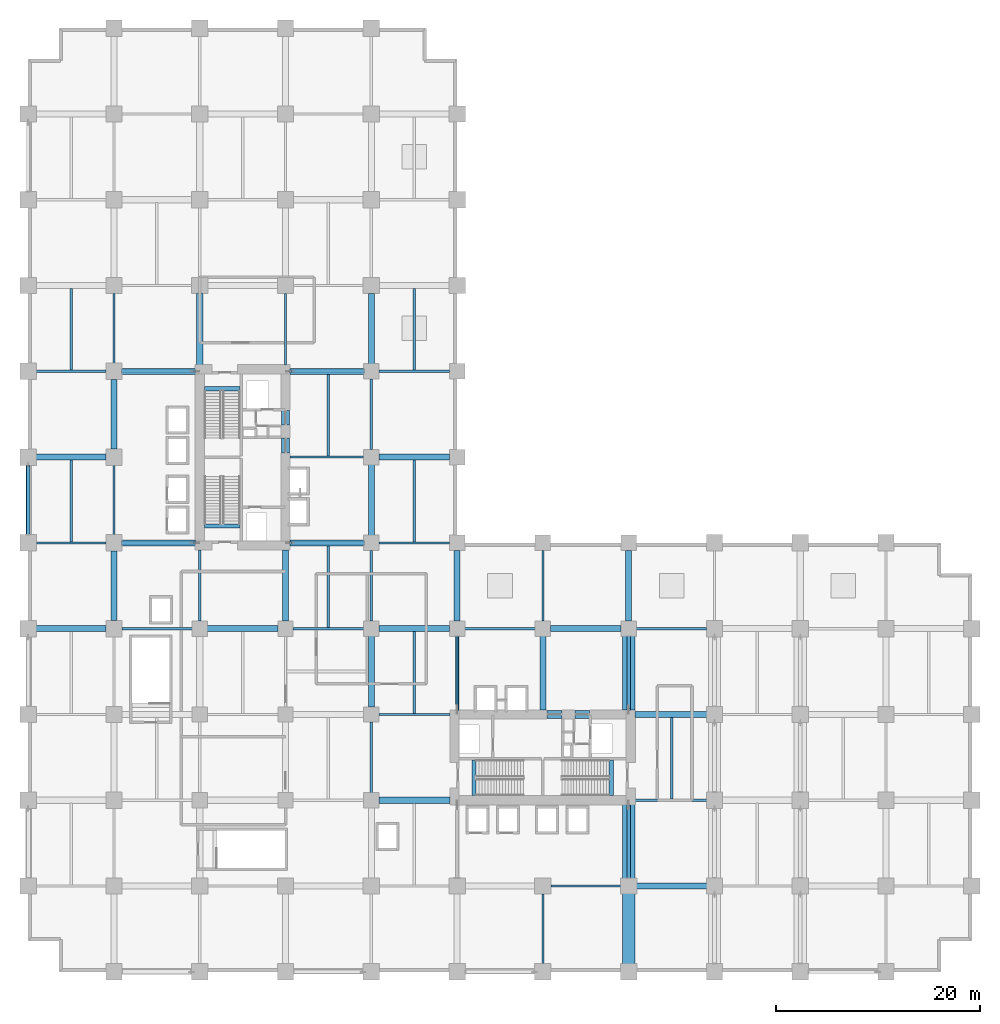
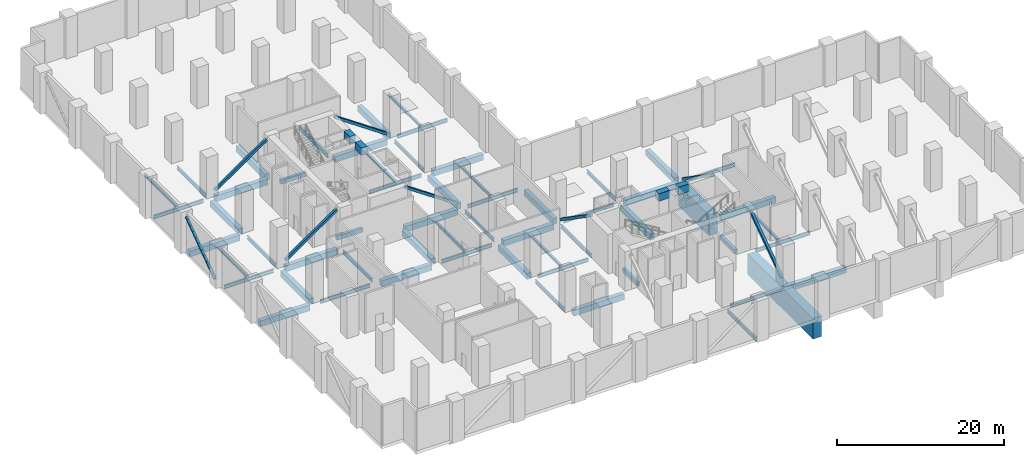
# One storey, part 2 of 20: 63 beams, 8 members.
"""IFC4 building model written with IfcOpenShell, lengths in metres."""

from ifc_helpers import new_model, si_unit, direction, frame, origin, origin_2d, place, context, subcontext, project, spatial, rectangle, hollow_rectangle, hollow_circle, i_section, extrude, material, material_profile, profile_set, type_object, element, save


model = new_model("IFC4")

# Units and contexts
model_context = context("Model", 3, precision=1e-05, world=origin(), true_north=direction((0.0, 1.0)))
body_context = subcontext(model_context, "Body", "Model", "MODEL_VIEW")
ifc_project = project(units=[si_unit("LENGTHUNIT", "METRE"), si_unit("AREAUNIT", "SQUARE_METRE"), si_unit("VOLUMEUNIT", "CUBIC_METRE"), si_unit("PLANEANGLEUNIT", "RADIAN"), si_unit("MASSUNIT", "GRAM", prefix="KILO")], contexts=[model_context])

# Site, building, storey
site_placement = place(None, origin())
site = spatial("IfcSite", under=ifc_project, at=site_placement, CompositionType="ELEMENT")
building_placement = place(site_placement, origin())
building = spatial("IfcBuilding", under=site, at=building_placement, Name="Koriwani Terraces Tower", CompositionType="ELEMENT")
storey_placement = place(building_placement, frame((0.0, 0.0, 26.0)))
storey = spatial("IfcBuildingStorey", under=building, at=storey_placement, Name="L05", CompositionType="ELEMENT", Elevation=26.0)

# Beams
ifc_material_1 = material(Name="Concrete C60/75", Category="concrete")
ifc_material_profile_1 = material_profile(ifc_material_1, rectangle(XDim=0.800048828125, YDim=1.10009765625, at=origin_2d()), Name="Concrete C60/75", Category="LoadBearing")
ifc_profile_set_1 = profile_set([ifc_material_profile_1], Name="Concrete C60/75")
beam_type_1 = type_object("IfcBeamType", Name="BEAM_RC_COUPLING_800X1100", PredefinedType="LINTEL", material=ifc_profile_set_1)
beam_1_placement = place(storey_placement, frame((25.199951171875, 50.800048828125, 5.199951171875), z_axis=(0.0, 1.0, 0.0), x_axis=(-1.0, 0.0, 0.0)))
element("IfcBeam", 1, at=beam_1_placement, inside=storey, type_object=beam_type_1, Name="L05 Core Coupling Lintel Beam WE1", PredefinedType="LINTEL", context=body_context, shape_type="SweptSolid", body=[
    extrude(rectangle(XDim=0.800048828125, YDim=1.10009765625, at=origin_2d()), origin(), (0.0, 0.0, 1.0), 1.47998046875),
])
beam_2_placement = place(storey_placement, frame((25.199951171875, 53.550048828125, 5.199951171875), z_axis=(0.0, 1.0, 0.0), x_axis=(-1.0, 0.0, 0.0)))
element("IfcBeam", 2, at=beam_2_placement, inside=storey, type_object=beam_type_1, Name="L05 Core Coupling Lintel Beam WE2", PredefinedType="LINTEL", context=body_context, shape_type="SweptSolid", body=[
    extrude(rectangle(XDim=0.800048828125, YDim=1.10009765625, at=origin_2d()), origin(), (0.0, 0.0, 1.0), 1.39990234375),
])
beam_3_placement = place(storey_placement, frame((50.800048828125, 25.199951171875, 5.199951171875), z_axis=(1.0, 0.0, 0.0), x_axis=(0.0, 1.0, 0.0)))
element("IfcBeam", 3, at=beam_3_placement, inside=storey, type_object=beam_type_1, Name="L05 Core Coupling Lintel Beam EN1", PredefinedType="LINTEL", context=body_context, shape_type="SweptSolid", body=[
    extrude(rectangle(XDim=0.800048828125, YDim=1.10009765625, at=origin_2d()), origin(), (0.0, 0.0, 1.0), 1.47998046875),
])
beam_4_placement = place(storey_placement, frame((53.550048828125, 25.199951171875, 5.199951171875), z_axis=(1.0, 0.0, 0.0), x_axis=(0.0, 1.0, 0.0)))
element("IfcBeam", 4, at=beam_4_placement, inside=storey, type_object=beam_type_1, Name="L05 Core Coupling Lintel Beam EN2", PredefinedType="LINTEL", context=body_context, shape_type="SweptSolid", body=[
    extrude(rectangle(XDim=0.800048828125, YDim=1.10009765625, at=origin_2d()), origin(), (0.0, 0.0, 1.0), 1.39990234375),
])
ifc_material_2 = material(Name="Concrete C40/50", Category="concrete")
ifc_material_profile_2 = material_profile(ifc_material_2, rectangle(XDim=0.39990234375, YDim=0.60009765625, at=origin_2d()), Name="Concrete C40/50", Category="LoadBearing")
ifc_profile_set_2 = profile_set([ifc_material_profile_2], Name="Concrete C40/50")
beam_type_2 = type_object("IfcBeamType", Name="BEAM_RC_GRID_400X600", PredefinedType="BEAM", material=ifc_profile_set_2)
for number, where, z_axis, x_axis, name in (
    (5, (17.25, 43.655029296875, -0.300048828125), (1.0, 0.0, 0.0), (0.0, 1.0, 0.0), "L05 Stairwell Header Trimmer Beam ST-W1"),
    (6, (17.25, 57.094970703125, -0.300048828125), (1.0, 0.0, 0.0), (0.0, 1.0, 0.0), "L05 Stairwell Header Trimmer Beam ST-W2"),
    (7, (43.655029296875, 17.25, -0.300048828125), (0.0, 1.0, 0.0), (-1.0, 0.0, 0.0), "L05 Stairwell Header Trimmer Beam ST-E1"),
    (8, (57.094970703125, 17.25, -0.300048828125), (0.0, 1.0, 0.0), (-1.0, 0.0, 0.0), "L05 Stairwell Header Trimmer Beam ST-E2"),
):
    element("IfcBeam", number, at=place(storey_placement, frame(where, z_axis=z_axis, x_axis=x_axis)), inside=storey, type_object=beam_type_2, Name=name, PredefinedType="BEAM", context=body_context, shape_type="SweptSolid", body=[
        extrude(rectangle(XDim=0.39990234375, YDim=0.60009765625, at=origin_2d()), origin(), (0.0, 0.0, 1.0), 3.5),
    ])
ifc_material_profile_3 = material_profile(ifc_material_1, rectangle(XDim=0.60009765625, YDim=0.85009765625, at=origin_2d()), Name="Concrete C60/75", Category="LoadBearing")
ifc_profile_set_3 = profile_set([ifc_material_profile_3], Name="Concrete C60/75")
beam_type_3 = type_object("IfcBeamType", Name="BEAM_RC_GRID_600X850", PredefinedType="BEAM", material=ifc_profile_set_3)
beam_5_placement = place(storey_placement, frame((58.93994140625, 8.39990234375, -0.875), z_axis=(1.0, 0.0, 0.0), x_axis=(0.0, 1.0, 0.0)))
element("IfcBeam", 9, at=beam_5_placement, inside=storey, type_object=beam_type_3, Name="L05 Grid Beam B (58.8-67.2m)", PredefinedType="BEAM", context=body_context, shape_type="SweptSolid", body=[
    extrude(rectangle(XDim=0.60009765625, YDim=0.85009765625, at=origin_2d()), origin(), (0.0, 0.0, 1.0), 8.1201171875),
])
beam_6_placement = place(storey_placement, frame((34.330078125, 16.800048828125, -0.875), z_axis=(1.0, 0.0, 0.0), x_axis=(0.0, 1.0, 0.0)))
element("IfcBeam", 10, at=beam_6_placement, inside=storey, type_object=beam_type_3, Name="L05 Grid Beam C (33.6-42.0m)", PredefinedType="BEAM", context=body_context, shape_type="SweptSolid", body=[
    extrude(rectangle(XDim=0.60009765625, YDim=0.85009765625, at=origin_2d()), origin(), (0.0, 0.0, 1.0), 6.989990234375),
])
beam_7_placement = place(storey_placement, frame((59.429931640625, 25.199951171875, -0.875), z_axis=(1.0, 0.0, 0.0), x_axis=(0.0, 1.0, 0.0)))
element("IfcBeam", 11, at=beam_7_placement, inside=storey, type_object=beam_type_3, Name="L05 Grid Beam D (58.8-67.2m)", PredefinedType="BEAM", context=body_context, shape_type="SweptSolid", body=[
    extrude(rectangle(XDim=0.60009765625, YDim=0.85009765625, at=origin_2d()), origin(), (0.0, 0.0, 1.0), 7.630126953125),
])
beam_8_placement = place(storey_placement, frame((0.780029296875, 33.60009765625, -0.875), z_axis=(1.0, 0.0, 0.0), x_axis=(0.0, 1.0, 0.0)))
element("IfcBeam", 12, at=beam_8_placement, inside=storey, type_object=beam_type_3, Name="L05 Grid Beam E (0.0-8.4m)", PredefinedType="BEAM", context=body_context, shape_type="SweptSolid", body=[
    extrude(rectangle(XDim=0.60009765625, YDim=0.85009765625, at=origin_2d()), origin(), (0.0, 0.0, 1.0), 6.840087890625),
])
for number, where, z_axis, x_axis, name in (
    (13, (17.530029296875, 33.60009765625, -0.875), (1.0, 0.0, 0.0), (0.0, 1.0, 0.0), "L05 Grid Beam E (16.8-25.2m)"),
    (14, (34.330078125, 33.60009765625, -0.875), (1.0, 0.0, 0.0), (0.0, 1.0, 0.0), "L05 Grid Beam E (33.6-42.0m)"),
):
    element("IfcBeam", number, at=place(storey_placement, frame(where, z_axis=z_axis, x_axis=x_axis)), inside=storey, type_object=beam_type_3, Name=name, PredefinedType="BEAM", context=body_context, shape_type="SweptSolid", body=[
        extrude(rectangle(XDim=0.60009765625, YDim=0.85009765625, at=origin_2d()), origin(), (0.0, 0.0, 1.0), 6.93994140625),
    ])
beam_9_placement = place(storey_placement, frame((51.1298828125, 33.60009765625, -0.875), z_axis=(1.0, 0.0, 0.0), x_axis=(0.0, 1.0, 0.0)))
element("IfcBeam", 15, at=beam_9_placement, inside=storey, type_object=beam_type_3, Name="L05 Grid Beam E (50.4-58.8m)", PredefinedType="BEAM", context=body_context, shape_type="SweptSolid", body=[
    extrude(rectangle(XDim=0.60009765625, YDim=0.85009765625, at=origin_2d()), origin(), (0.0, 0.0, 1.0), 6.940185546875),
])
beam_10_placement = place(storey_placement, frame((9.179931640625, 42.0, -0.875), z_axis=(1.0, 0.0, 0.0), x_axis=(0.0, 1.0, 0.0)))
element("IfcBeam", 16, at=beam_10_placement, inside=storey, type_object=beam_type_3, Name="L05 Grid Beam F (8.4-16.8m)", PredefinedType="BEAM", context=body_context, shape_type="SweptSolid", body=[
    extrude(rectangle(XDim=0.60009765625, YDim=0.85009765625, at=origin_2d()), origin(), (0.0, 0.0, 1.0), 7.190185546875),
])
beam_11_placement = place(storey_placement, frame((25.6298828125, 42.0, -0.875), z_axis=(1.0, 0.0, 0.0), x_axis=(0.0, 1.0, 0.0)))
element("IfcBeam", 17, at=beam_11_placement, inside=storey, type_object=beam_type_3, Name="L05 Grid Beam F (25.2-33.6m)", PredefinedType="BEAM", context=body_context, shape_type="SweptSolid", body=[
    extrude(rectangle(XDim=0.60009765625, YDim=0.85009765625, at=origin_2d()), origin(), (0.0, 0.0, 1.0), 7.240234375),
])
beam_12_placement = place(storey_placement, frame((0.780029296875, 50.39990234375, -0.875), z_axis=(1.0, 0.0, 0.0), x_axis=(0.0, 1.0, 0.0)))
element("IfcBeam", 18, at=beam_12_placement, inside=storey, type_object=beam_type_3, Name="L05 Grid Beam G (0.0-8.4m)", PredefinedType="BEAM", context=body_context, shape_type="SweptSolid", body=[
    extrude(rectangle(XDim=0.60009765625, YDim=0.85009765625, at=origin_2d()), origin(), (0.0, 0.0, 1.0), 6.840087890625),
])
beam_13_placement = place(storey_placement, frame((34.330078125, 50.39990234375, -0.875), z_axis=(1.0, 0.0, 0.0), x_axis=(0.0, 1.0, 0.0)))
element("IfcBeam", 19, at=beam_13_placement, inside=storey, type_object=beam_type_3, Name="L05 Grid Beam G (33.6-42.0m)", PredefinedType="BEAM", context=body_context, shape_type="SweptSolid", body=[
    extrude(rectangle(XDim=0.60009765625, YDim=0.85009765625, at=origin_2d()), origin(), (0.0, 0.0, 1.0), 6.93994140625),
])
beam_14_placement = place(storey_placement, frame((9.179931640625, 58.800048828125, -0.875), z_axis=(1.0, 0.0, 0.0), x_axis=(0.0, 1.0, 0.0)))
element("IfcBeam", 20, at=beam_14_placement, inside=storey, type_object=beam_type_3, Name="L05 Grid Beam H (8.4-16.8m)", PredefinedType="BEAM", context=body_context, shape_type="SweptSolid", body=[
    extrude(rectangle(XDim=0.60009765625, YDim=0.85009765625, at=origin_2d()), origin(), (0.0, 0.0, 1.0), 7.190185546875),
])
beam_15_placement = place(storey_placement, frame((25.6298828125, 58.800048828125, -0.875), z_axis=(1.0, 0.0, 0.0), x_axis=(0.0, 1.0, 0.0)))
element("IfcBeam", 21, at=beam_15_placement, inside=storey, type_object=beam_type_3, Name="L05 Grid Beam H (25.2-33.6m)", PredefinedType="BEAM", context=body_context, shape_type="SweptSolid", body=[
    extrude(rectangle(XDim=0.60009765625, YDim=0.85009765625, at=origin_2d()), origin(), (0.0, 0.0, 1.0), 7.240234375),
])
for number, where, z_axis, x_axis, name in (
    (22, (8.39990234375, 34.3798828125, -0.875), (0.0, 1.0, 0.0), (-1.0, 0.0, 0.0), "L05 Grid Beam 2 (33.6-42.0m)"),
    (23, (8.39990234375, 51.179931640625, -0.875), (0.0, 1.0, 0.0), (-1.0, 0.0, 0.0), "L05 Grid Beam 2 (50.4-58.8m)"),
):
    element("IfcBeam", number, at=place(storey_placement, frame(where, z_axis=z_axis, x_axis=x_axis)), inside=storey, type_object=beam_type_3, Name=name, PredefinedType="BEAM", context=body_context, shape_type="SweptSolid", body=[
        extrude(rectangle(XDim=0.60009765625, YDim=0.85009765625, at=origin_2d()), origin(), (0.0, 0.0, 1.0), 6.840087890625),
    ])
for number, where, z_axis, x_axis, name in (
    (24, (16.800048828125, 59.429931640625, -0.875), (0.0, 1.0, 0.0), (-1.0, 0.0, 0.0), "L05 Grid Beam 3 (58.8-67.2m)"),
    (25, (25.199951171875, 34.330078125, -0.875), (0.0, 1.0, 0.0), (-1.0, 0.0, 0.0), "L05 Grid Beam 4 (33.6-42.0m)"),
):
    element("IfcBeam", number, at=place(storey_placement, frame(where, z_axis=z_axis, x_axis=x_axis)), inside=storey, type_object=beam_type_3, Name=name, PredefinedType="BEAM", context=body_context, shape_type="SweptSolid", body=[
        extrude(rectangle(XDim=0.60009765625, YDim=0.85009765625, at=origin_2d()), origin(), (0.0, 0.0, 1.0), 6.989990234375),
    ])
beam_16_placement = place(storey_placement, frame((33.60009765625, 25.929931640625, -0.875), z_axis=(0.0, 1.0, 0.0), x_axis=(-1.0, 0.0, 0.0)))
element("IfcBeam", 26, at=beam_16_placement, inside=storey, type_object=beam_type_3, Name="L05 Grid Beam 5 (25.2-33.6m)", PredefinedType="BEAM", context=body_context, shape_type="SweptSolid", body=[
    extrude(rectangle(XDim=0.60009765625, YDim=0.85009765625, at=origin_2d()), origin(), (0.0, 0.0, 1.0), 6.940185546875),
])
beam_17_placement = place(storey_placement, frame((33.60009765625, 42.72998046875, -0.875), z_axis=(0.0, 1.0, 0.0), x_axis=(-1.0, 0.0, 0.0)))
element("IfcBeam", 27, at=beam_17_placement, inside=storey, type_object=beam_type_3, Name="L05 Grid Beam 5 (42.0-50.4m)", PredefinedType="BEAM", context=body_context, shape_type="SweptSolid", body=[
    extrude(rectangle(XDim=0.60009765625, YDim=0.85009765625, at=origin_2d()), origin(), (0.0, 0.0, 1.0), 6.93994140625),
])
beam_18_placement = place(storey_placement, frame((33.60009765625, 59.530029296875, -0.875), z_axis=(0.0, 1.0, 0.0), x_axis=(-1.0, 0.0, 0.0)))
element("IfcBeam", 28, at=beam_18_placement, inside=storey, type_object=beam_type_3, Name="L05 Grid Beam 5 (58.8-67.2m)", PredefinedType="BEAM", context=body_context, shape_type="SweptSolid", body=[
    extrude(rectangle(XDim=0.60009765625, YDim=0.85009765625, at=origin_2d()), origin(), (0.0, 0.0, 1.0), 6.889892578125),
])
beam_19_placement = place(storey_placement, frame((42.0, 34.330078125, -0.875), z_axis=(0.0, 1.0, 0.0), x_axis=(-1.0, 0.0, 0.0)))
element("IfcBeam", 29, at=beam_19_placement, inside=storey, type_object=beam_type_3, Name="L05 Grid Beam 6 (33.6-42.0m)", PredefinedType="BEAM", context=body_context, shape_type="SweptSolid", body=[
    extrude(rectangle(XDim=0.60009765625, YDim=0.85009765625, at=origin_2d()), origin(), (0.0, 0.0, 1.0), 6.93994140625),
])
beam_20_placement = place(storey_placement, frame((50.39990234375, 25.6298828125, -0.875), z_axis=(0.0, 1.0, 0.0), x_axis=(-1.0, 0.0, 0.0)))
element("IfcBeam", 30, at=beam_20_placement, inside=storey, type_object=beam_type_3, Name="L05 Grid Beam 7 (25.2-33.6m)", PredefinedType="BEAM", context=body_context, shape_type="SweptSolid", body=[
    extrude(rectangle(XDim=0.60009765625, YDim=0.85009765625, at=origin_2d()), origin(), (0.0, 0.0, 1.0), 7.240234375),
])
beam_21_placement = place(storey_placement, frame((58.800048828125, 34.330078125, -0.875), z_axis=(0.0, 1.0, 0.0), x_axis=(-1.0, 0.0, 0.0)))
element("IfcBeam", 31, at=beam_21_placement, inside=storey, type_object=beam_type_3, Name="L05 Grid Beam 8 (33.6-42.0m)", PredefinedType="BEAM", context=body_context, shape_type="SweptSolid", body=[
    extrude(rectangle(XDim=0.60009765625, YDim=0.85009765625, at=origin_2d()), origin(), (0.0, 0.0, 1.0), 6.93994140625),
])
ifc_material_profile_4 = material_profile(ifc_material_1, rectangle(XDim=1.199951171875, YDim=3.0, at=origin_2d()), Name="Concrete C60/75", Category="LoadBearing")
ifc_profile_set_4 = profile_set([ifc_material_profile_4], Name="Concrete C60/75")
beam_type_4 = type_object("IfcBeamType", Name="BEAM_RC_TRANSFER_1200X3000", PredefinedType="USERDEFINED", material=ifc_profile_set_4)
beam_22_placement = place(storey_placement, frame((58.800048828125, 0.77001953125, -1.949951171875), z_axis=(0.0, 1.0, 0.0), x_axis=(-1.0, 0.0, 0.0)))
element("IfcBeam", 32, at=beam_22_placement, inside=storey, type_object=beam_type_4, Name="L05 Ballroom Transfer Girder X=58.8m S", ObjectType="GIRDER", PredefinedType="USERDEFINED", context=body_context, shape_type="SweptSolid", body=[
    extrude(rectangle(XDim=1.199951171875, YDim=3.0, at=origin_2d()), origin(), (0.0, 0.0, 1.0), 15.60009765625),
])
beam_23_placement = place(storey_placement, frame((58.800048828125, 25.6298828125, -1.949951171875), z_axis=(0.0, 1.0, 0.0), x_axis=(-1.0, 0.0, 0.0)))
element("IfcBeam", 33, at=beam_23_placement, inside=storey, type_object=beam_type_4, Name="L05 Ballroom Transfer Girder X=58.8m N", ObjectType="GIRDER", PredefinedType="USERDEFINED", context=body_context, shape_type="SweptSolid", body=[
    extrude(rectangle(XDim=1.199951171875, YDim=3.0, at=origin_2d()), origin(), (0.0, 0.0, 1.0), 7.25),
])

# Members
ifc_material_3 = material(Name="Steel ASTM A572 Grade 50", Category="steel")
ifc_material_profile_5 = material_profile(ifc_material_3, hollow_circle(Radius=0.202880859375, WallThickness=0.01611328125, at=origin_2d()), Name="Steel ASTM A572 Grade 50", Category="LoadBearing")
ifc_profile_set_5 = profile_set([ifc_material_profile_5], Name="Steel ASTM A572 Grade 50")
member_type_1 = type_object("IfcMemberType", Name="BELT_TRUSS_DIAG_CHS406X16", PredefinedType="BRACE", material=ifc_profile_set_5)
member_1_placement = place(storey_placement, frame((0.0, 42.780029296875, 0.25), z_axis=(0.0, 0.810123018581, 0.586259920824), x_axis=(-1.0, 0.0, 0.0)))
element("IfcMember", 34, at=member_1_placement, inside=storey, type_object=member_type_1, Name="Belt truss diagonal L05-BW3", PredefinedType="BRACE", context=body_context, shape_type="SweptSolid", body=[
    extrude(hollow_circle(Radius=0.202880859375, WallThickness=0.01611328125, at=origin_2d()), origin(), (0.0, 0.0, 1.0), 8.443359375),
])
ifc_material_profile_6 = material_profile(ifc_material_3, hollow_rectangle(XDim=0.35009765625, YDim=0.35009765625, WallThickness=0.01611328125, at=origin_2d()), Name="Steel ASTM A572 Grade 50", Category="LoadBearing")
ifc_profile_set_6 = profile_set([ifc_material_profile_6], Name="Steel ASTM A572 Grade 50")
member_type_2 = type_object("IfcMemberType", Name="OUTRIGGER_BRACE_HSS350X350X16", PredefinedType="BRACE", material=ifc_profile_set_6)
for number, where, z_axis, x_axis, name in (
    (35, (9.179931640625, 42.0, 0.25), (0.822200276844, 0.0, 0.569198300031), (0.0, 1.0, 0.0), "Outrigger truss diagonal L05-OW-W1"),
    (36, (9.179931640625, 58.800048828125, 0.25), (0.822200276844, 0.0, 0.569198300031), (0.0, 1.0, 0.0), "Outrigger truss diagonal L05-OW-W2"),
):
    element("IfcMember", number, at=place(storey_placement, frame(where, z_axis=z_axis, x_axis=x_axis)), inside=storey, type_object=member_type_2, Name=name, PredefinedType="BRACE", context=body_context, shape_type="SweptSolid", body=[
        extrude(hollow_rectangle(XDim=0.35009765625, YDim=0.35009765625, WallThickness=0.01611328125, at=origin_2d()), origin(), (0.0, 0.0, 1.0), 8.6962890625),
    ])
for number, where, z_axis, x_axis, name in (
    (37, (32.8701171875, 42.0, 0.25), (-0.824051707319, 0.0, 0.566514592632), (0.0, -1.0, 0.0), "Outrigger truss diagonal L05-OW-E1"),
    (38, (32.8701171875, 58.800048828125, 0.25), (-0.824051707319, 0.0, 0.566514592632), (0.0, -1.0, 0.0), "Outrigger truss diagonal L05-OW-E2"),
):
    element("IfcMember", number, at=place(storey_placement, frame(where, z_axis=z_axis, x_axis=x_axis)), inside=storey, type_object=member_type_2, Name=name, PredefinedType="BRACE", context=body_context, shape_type="SweptSolid", body=[
        extrude(hollow_rectangle(XDim=0.35009765625, YDim=0.35009765625, WallThickness=0.01611328125, at=origin_2d()), origin(), (0.0, 0.0, 1.0), 8.737548828125),
    ])
member_2_placement = place(storey_placement, frame((58.800048828125, 9.179931640625, 0.25), z_axis=(0.0, 0.822200276844, 0.569198300031), x_axis=(-1.0, 0.0, 0.0)))
element("IfcMember", 39, at=member_2_placement, inside=storey, type_object=member_type_2, Name="Outrigger truss diagonal L05-OE-S2", PredefinedType="BRACE", context=body_context, shape_type="SweptSolid", body=[
    extrude(hollow_rectangle(XDim=0.35009765625, YDim=0.35009765625, WallThickness=0.01611328125, at=origin_2d()), origin(), (0.0, 0.0, 1.0), 8.6962890625),
])
for number, where, z_axis, x_axis, name in (
    (40, (42.0, 32.8701171875, 0.25), (0.0, -0.824051707319, 0.566514592632), (1.0, 0.0, 0.0), "Outrigger truss diagonal L05-OE-N1"),
    (41, (58.800048828125, 32.8701171875, 0.25), (0.0, -0.824051707319, 0.566514592632), (1.0, 0.0, 0.0), "Outrigger truss diagonal L05-OE-N2"),
):
    element("IfcMember", number, at=place(storey_placement, frame(where, z_axis=z_axis, x_axis=x_axis)), inside=storey, type_object=member_type_2, Name=name, PredefinedType="BRACE", context=body_context, shape_type="SweptSolid", body=[
        extrude(hollow_rectangle(XDim=0.35009765625, YDim=0.35009765625, WallThickness=0.01611328125, at=origin_2d()), origin(), (0.0, 0.0, 1.0), 8.737548828125),
    ])

# Beams
ifc_material_profile_7 = material_profile(ifc_material_3, i_section(OverallWidth=0.257080078125, OverallDepth=0.363037109375, WebThickness=0.012939453125, FlangeThickness=0.021728515625, at=origin_2d()), Name="Steel ASTM A572 Grade 50", Category="LoadBearing")
ifc_profile_set_7 = profile_set([ifc_material_profile_7], Name="Steel ASTM A572 Grade 50")
beam_type_5 = type_object("IfcBeamType", Name="STEEL_BEAM_W360X122", PredefinedType="JOIST", material=ifc_profile_set_7)
beam_24_placement = place(storey_placement, frame((4.199951171875, 42.095458984375, -0.631591796875), z_axis=(0.0, 1.0, 0.0), x_axis=(-1.0, 0.0, 0.0)))
element("IfcBeam", 42, at=beam_24_placement, inside=storey, type_object=beam_type_5, Name="L05 Secondary Steel Floor Joist X=4.2m", PredefinedType="JOIST", context=body_context, shape_type="SweptSolid", body=[
    extrude(i_section(OverallWidth=0.257080078125, OverallDepth=0.363037109375, WebThickness=0.012939453125, FlangeThickness=0.021728515625, at=origin_2d()), origin(), (0.0, 0.0, 1.0), 8.0146484375),
])
for number, where, z_axis, x_axis, name in (
    (43, (4.199951171875, 58.8955078125, -0.631591796875), (0.0, 1.0, 0.0), (-1.0, 0.0, 0.0), "L05 Secondary Steel Floor Joist X=4.2m"),
    (44, (29.39990234375, 33.695556640625, -0.631591796875), (0.0, 1.0, 0.0), (-1.0, 0.0, 0.0), "L05 Secondary Steel Floor Joist X=29.4m"),
    (45, (29.39990234375, 50.49560546875, -0.631591796875), (0.0, 1.0, 0.0), (-1.0, 0.0, 0.0), "L05 Secondary Steel Floor Joist X=29.4m"),
):
    element("IfcBeam", number, at=place(storey_placement, frame(where, z_axis=z_axis, x_axis=x_axis)), inside=storey, type_object=beam_type_5, Name=name, PredefinedType="JOIST", context=body_context, shape_type="SweptSolid", body=[
        extrude(i_section(OverallWidth=0.257080078125, OverallDepth=0.363037109375, WebThickness=0.012939453125, FlangeThickness=0.021728515625, at=origin_2d()), origin(), (0.0, 0.0, 1.0), 8.014404296875),
    ])
for number, where, z_axis, x_axis, name in (
    (46, (37.800048828125, 25.29541015625, -0.631591796875), (0.0, 1.0, 0.0), (-1.0, 0.0, 0.0), "L05 Secondary Steel Floor Joist X=37.8m"),
    (47, (37.800048828125, 42.095458984375, -0.631591796875), (0.0, 1.0, 0.0), (-1.0, 0.0, 0.0), "L05 Secondary Steel Floor Joist X=37.8m"),
):
    element("IfcBeam", number, at=place(storey_placement, frame(where, z_axis=z_axis, x_axis=x_axis)), inside=storey, type_object=beam_type_5, Name=name, PredefinedType="JOIST", context=body_context, shape_type="SweptSolid", body=[
        extrude(i_section(OverallWidth=0.257080078125, OverallDepth=0.363037109375, WebThickness=0.012939453125, FlangeThickness=0.021728515625, at=origin_2d()), origin(), (0.0, 0.0, 1.0), 8.0146484375),
    ])
for number, where, z_axis, x_axis, name in (
    (48, (37.800048828125, 58.8955078125, -0.631591796875), (0.0, 1.0, 0.0), (-1.0, 0.0, 0.0), "L05 Secondary Steel Floor Joist X=37.8m"),
    (49, (63.0, 16.8955078125, -0.631591796875), (0.0, 1.0, 0.0), (-1.0, 0.0, 0.0), "L05 Secondary Steel Floor Joist X=63.0m"),
):
    element("IfcBeam", number, at=place(storey_placement, frame(where, z_axis=z_axis, x_axis=x_axis)), inside=storey, type_object=beam_type_5, Name=name, PredefinedType="JOIST", context=body_context, shape_type="SweptSolid", body=[
        extrude(i_section(OverallWidth=0.257080078125, OverallDepth=0.363037109375, WebThickness=0.012939453125, FlangeThickness=0.021728515625, at=origin_2d()), origin(), (0.0, 0.0, 1.0), 8.014404296875),
    ])
ifc_material_profile_8 = material_profile(ifc_material_3, i_section(OverallWidth=0.2109375, OverallDepth=0.5390625, WebThickness=0.01171875, FlangeThickness=0.018798828125, at=origin_2d()), Name="Steel ASTM A572 Grade 50", Category="LoadBearing")
ifc_profile_set_8 = profile_set([ifc_material_profile_8], Name="Steel ASTM A572 Grade 50")
beam_type_6 = type_object("IfcBeamType", Name="STEEL_BEAM_W530X109", PredefinedType="BEAM", material=ifc_profile_set_8)
beam_25_placement = place(storey_placement, frame((51.179931640625, 8.39990234375, -0.719482421875), z_axis=(1.0, 0.0, 0.0), x_axis=(0.0, 1.0, 0.0)))
element("IfcBeam", 50, at=beam_25_placement, inside=storey, type_object=beam_type_6, Name="L05 Grid Beam B (50.4-58.8m)", PredefinedType="BEAM", context=body_context, shape_type="SweptSolid", body=[
    extrude(i_section(OverallWidth=0.2109375, OverallDepth=0.5390625, WebThickness=0.01171875, FlangeThickness=0.018798828125, at=origin_2d()), origin(), (0.0, 0.0, 1.0), 7.47998046875),
])
beam_26_placement = place(storey_placement, frame((59.429931640625, 16.800048828125, -0.719482421875), z_axis=(1.0, 0.0, 0.0), x_axis=(0.0, 1.0, 0.0)))
element("IfcBeam", 51, at=beam_26_placement, inside=storey, type_object=beam_type_6, Name="L05 Grid Beam C (58.8-67.2m)", PredefinedType="BEAM", context=body_context, shape_type="SweptSolid", body=[
    extrude(i_section(OverallWidth=0.2109375, OverallDepth=0.5390625, WebThickness=0.01171875, FlangeThickness=0.018798828125, at=origin_2d()), origin(), (0.0, 0.0, 1.0), 7.630126953125),
])
beam_27_placement = place(storey_placement, frame((34.330078125, 25.199951171875, -0.719482421875), z_axis=(1.0, 0.0, 0.0), x_axis=(0.0, 1.0, 0.0)))
element("IfcBeam", 52, at=beam_27_placement, inside=storey, type_object=beam_type_6, Name="L05 Grid Beam D (33.6-42.0m)", PredefinedType="BEAM", context=body_context, shape_type="SweptSolid", body=[
    extrude(i_section(OverallWidth=0.2109375, OverallDepth=0.5390625, WebThickness=0.01171875, FlangeThickness=0.018798828125, at=origin_2d()), origin(), (0.0, 0.0, 1.0), 6.989990234375),
])
beam_28_placement = place(storey_placement, frame((9.179931640625, 33.60009765625, -0.719482421875), z_axis=(1.0, 0.0, 0.0), x_axis=(0.0, 1.0, 0.0)))
element("IfcBeam", 53, at=beam_28_placement, inside=storey, type_object=beam_type_6, Name="L05 Grid Beam E (8.4-16.8m)", PredefinedType="BEAM", context=body_context, shape_type="SweptSolid", body=[
    extrude(i_section(OverallWidth=0.2109375, OverallDepth=0.5390625, WebThickness=0.01171875, FlangeThickness=0.018798828125, at=origin_2d()), origin(), (0.0, 0.0, 1.0), 6.89013671875),
])
beam_29_placement = place(storey_placement, frame((25.929931640625, 33.60009765625, -0.719482421875), z_axis=(1.0, 0.0, 0.0), x_axis=(0.0, 1.0, 0.0)))
element("IfcBeam", 54, at=beam_29_placement, inside=storey, type_object=beam_type_6, Name="L05 Grid Beam E (25.2-33.6m)", PredefinedType="BEAM", context=body_context, shape_type="SweptSolid", body=[
    extrude(i_section(OverallWidth=0.2109375, OverallDepth=0.5390625, WebThickness=0.01171875, FlangeThickness=0.018798828125, at=origin_2d()), origin(), (0.0, 0.0, 1.0), 6.940185546875),
])
beam_30_placement = place(storey_placement, frame((42.72998046875, 33.60009765625, -0.719482421875), z_axis=(1.0, 0.0, 0.0), x_axis=(0.0, 1.0, 0.0)))
element("IfcBeam", 55, at=beam_30_placement, inside=storey, type_object=beam_type_6, Name="L05 Grid Beam E (42.0-50.4m)", PredefinedType="BEAM", context=body_context, shape_type="SweptSolid", body=[
    extrude(i_section(OverallWidth=0.2109375, OverallDepth=0.5390625, WebThickness=0.01171875, FlangeThickness=0.018798828125, at=origin_2d()), origin(), (0.0, 0.0, 1.0), 6.93994140625),
])
beam_31_placement = place(storey_placement, frame((59.530029296875, 33.60009765625, -0.719482421875), z_axis=(1.0, 0.0, 0.0), x_axis=(0.0, 1.0, 0.0)))
element("IfcBeam", 56, at=beam_31_placement, inside=storey, type_object=beam_type_6, Name="L05 Grid Beam E (58.8-67.2m)", PredefinedType="BEAM", context=body_context, shape_type="SweptSolid", body=[
    extrude(i_section(OverallWidth=0.2109375, OverallDepth=0.5390625, WebThickness=0.01171875, FlangeThickness=0.018798828125, at=origin_2d()), origin(), (0.0, 0.0, 1.0), 6.889892578125),
])
beam_32_placement = place(storey_placement, frame((0.780029296875, 42.0, -0.719482421875), z_axis=(1.0, 0.0, 0.0), x_axis=(0.0, 1.0, 0.0)))
element("IfcBeam", 57, at=beam_32_placement, inside=storey, type_object=beam_type_6, Name="L05 Grid Beam F (0.0-8.4m)", PredefinedType="BEAM", context=body_context, shape_type="SweptSolid", body=[
    extrude(i_section(OverallWidth=0.2109375, OverallDepth=0.5390625, WebThickness=0.01171875, FlangeThickness=0.018798828125, at=origin_2d()), origin(), (0.0, 0.0, 1.0), 6.840087890625),
])
beam_33_placement = place(storey_placement, frame((34.330078125, 42.0, -0.719482421875), z_axis=(1.0, 0.0, 0.0), x_axis=(0.0, 1.0, 0.0)))
element("IfcBeam", 58, at=beam_33_placement, inside=storey, type_object=beam_type_6, Name="L05 Grid Beam F (33.6-42.0m)", PredefinedType="BEAM", context=body_context, shape_type="SweptSolid", body=[
    extrude(i_section(OverallWidth=0.2109375, OverallDepth=0.5390625, WebThickness=0.01171875, FlangeThickness=0.018798828125, at=origin_2d()), origin(), (0.0, 0.0, 1.0), 6.93994140625),
])
beam_34_placement = place(storey_placement, frame((25.6298828125, 50.39990234375, -0.719482421875), z_axis=(1.0, 0.0, 0.0), x_axis=(0.0, 1.0, 0.0)))
element("IfcBeam", 59, at=beam_34_placement, inside=storey, type_object=beam_type_6, Name="L05 Grid Beam G (25.2-33.6m)", PredefinedType="BEAM", context=body_context, shape_type="SweptSolid", body=[
    extrude(i_section(OverallWidth=0.2109375, OverallDepth=0.5390625, WebThickness=0.01171875, FlangeThickness=0.018798828125, at=origin_2d()), origin(), (0.0, 0.0, 1.0), 7.240234375),
])
beam_35_placement = place(storey_placement, frame((0.780029296875, 58.800048828125, -0.719482421875), z_axis=(1.0, 0.0, 0.0), x_axis=(0.0, 1.0, 0.0)))
element("IfcBeam", 60, at=beam_35_placement, inside=storey, type_object=beam_type_6, Name="L05 Grid Beam H (0.0-8.4m)", PredefinedType="BEAM", context=body_context, shape_type="SweptSolid", body=[
    extrude(i_section(OverallWidth=0.2109375, OverallDepth=0.5390625, WebThickness=0.01171875, FlangeThickness=0.018798828125, at=origin_2d()), origin(), (0.0, 0.0, 1.0), 6.840087890625),
])
beam_36_placement = place(storey_placement, frame((34.330078125, 58.800048828125, -0.719482421875), z_axis=(1.0, 0.0, 0.0), x_axis=(0.0, 1.0, 0.0)))
element("IfcBeam", 61, at=beam_36_placement, inside=storey, type_object=beam_type_6, Name="L05 Grid Beam H (33.6-42.0m)", PredefinedType="BEAM", context=body_context, shape_type="SweptSolid", body=[
    extrude(i_section(OverallWidth=0.2109375, OverallDepth=0.5390625, WebThickness=0.01171875, FlangeThickness=0.018798828125, at=origin_2d()), origin(), (0.0, 0.0, 1.0), 6.93994140625),
])
beam_37_placement = place(storey_placement, frame((8.39990234375, 42.780029296875, -0.719482421875), z_axis=(0.0, 1.0, 0.0), x_axis=(-1.0, 0.0, 0.0)))
element("IfcBeam", 62, at=beam_37_placement, inside=storey, type_object=beam_type_6, Name="L05 Grid Beam 2 (42.0-50.4m)", PredefinedType="BEAM", context=body_context, shape_type="SweptSolid", body=[
    extrude(i_section(OverallWidth=0.2109375, OverallDepth=0.5390625, WebThickness=0.01171875, FlangeThickness=0.018798828125, at=origin_2d()), origin(), (0.0, 0.0, 1.0), 6.840087890625),
])
beam_38_placement = place(storey_placement, frame((8.39990234375, 59.580078125, -0.719482421875), z_axis=(0.0, 1.0, 0.0), x_axis=(-1.0, 0.0, 0.0)))
element("IfcBeam", 63, at=beam_38_placement, inside=storey, type_object=beam_type_6, Name="L05 Grid Beam 2 (58.8-67.2m)", PredefinedType="BEAM", context=body_context, shape_type="SweptSolid", body=[
    extrude(i_section(OverallWidth=0.2109375, OverallDepth=0.5390625, WebThickness=0.01171875, FlangeThickness=0.018798828125, at=origin_2d()), origin(), (0.0, 0.0, 1.0), 6.83984375),
])
for number, where, z_axis, x_axis, name in (
    (64, (16.800048828125, 34.330078125, -0.719482421875), (0.0, 1.0, 0.0), (-1.0, 0.0, 0.0), "L05 Grid Beam 3 (33.6-42.0m)"),
    (65, (25.199951171875, 59.429931640625, -0.719482421875), (0.0, 1.0, 0.0), (-1.0, 0.0, 0.0), "L05 Grid Beam 4 (58.8-67.2m)"),
):
    element("IfcBeam", number, at=place(storey_placement, frame(where, z_axis=z_axis, x_axis=x_axis)), inside=storey, type_object=beam_type_6, Name=name, PredefinedType="BEAM", context=body_context, shape_type="SweptSolid", body=[
        extrude(i_section(OverallWidth=0.2109375, OverallDepth=0.5390625, WebThickness=0.01171875, FlangeThickness=0.018798828125, at=origin_2d()), origin(), (0.0, 0.0, 1.0), 6.989990234375),
    ])
for number, where, z_axis, x_axis, name in (
    (66, (33.60009765625, 17.530029296875, -0.719482421875), (0.0, 1.0, 0.0), (-1.0, 0.0, 0.0), "L05 Grid Beam 5 (16.8-25.2m)"),
    (67, (33.60009765625, 34.330078125, -0.719482421875), (0.0, 1.0, 0.0), (-1.0, 0.0, 0.0), "L05 Grid Beam 5 (33.6-42.0m)"),
):
    element("IfcBeam", number, at=place(storey_placement, frame(where, z_axis=z_axis, x_axis=x_axis)), inside=storey, type_object=beam_type_6, Name=name, PredefinedType="BEAM", context=body_context, shape_type="SweptSolid", body=[
        extrude(i_section(OverallWidth=0.2109375, OverallDepth=0.5390625, WebThickness=0.01171875, FlangeThickness=0.018798828125, at=origin_2d()), origin(), (0.0, 0.0, 1.0), 6.93994140625),
    ])
beam_39_placement = place(storey_placement, frame((33.60009765625, 51.1298828125, -0.719482421875), z_axis=(0.0, 1.0, 0.0), x_axis=(-1.0, 0.0, 0.0)))
element("IfcBeam", 68, at=beam_39_placement, inside=storey, type_object=beam_type_6, Name="L05 Grid Beam 5 (50.4-58.8m)", PredefinedType="BEAM", context=body_context, shape_type="SweptSolid", body=[
    extrude(i_section(OverallWidth=0.2109375, OverallDepth=0.5390625, WebThickness=0.01171875, FlangeThickness=0.018798828125, at=origin_2d()), origin(), (0.0, 0.0, 1.0), 6.940185546875),
])
beam_40_placement = place(storey_placement, frame((42.0, 25.6298828125, -0.719482421875), z_axis=(0.0, 1.0, 0.0), x_axis=(-1.0, 0.0, 0.0)))
element("IfcBeam", 69, at=beam_40_placement, inside=storey, type_object=beam_type_6, Name="L05 Grid Beam 6 (25.2-33.6m)", PredefinedType="BEAM", context=body_context, shape_type="SweptSolid", body=[
    extrude(i_section(OverallWidth=0.2109375, OverallDepth=0.5390625, WebThickness=0.01171875, FlangeThickness=0.018798828125, at=origin_2d()), origin(), (0.0, 0.0, 1.0), 7.240234375),
])
beam_41_placement = place(storey_placement, frame((50.39990234375, 0.780029296875, -0.719482421875), z_axis=(0.0, 1.0, 0.0), x_axis=(-1.0, 0.0, 0.0)))
element("IfcBeam", 70, at=beam_41_placement, inside=storey, type_object=beam_type_6, Name="L05 Grid Beam 7 (0.0-8.4m)", PredefinedType="BEAM", context=body_context, shape_type="SweptSolid", body=[
    extrude(i_section(OverallWidth=0.2109375, OverallDepth=0.5390625, WebThickness=0.01171875, FlangeThickness=0.018798828125, at=origin_2d()), origin(), (0.0, 0.0, 1.0), 6.840087890625),
])
beam_42_placement = place(storey_placement, frame((50.39990234375, 34.330078125, -0.719482421875), z_axis=(0.0, 1.0, 0.0), x_axis=(-1.0, 0.0, 0.0)))
element("IfcBeam", 71, at=beam_42_placement, inside=storey, type_object=beam_type_6, Name="L05 Grid Beam 7 (33.6-42.0m)", PredefinedType="BEAM", context=body_context, shape_type="SweptSolid", body=[
    extrude(i_section(OverallWidth=0.2109375, OverallDepth=0.5390625, WebThickness=0.01171875, FlangeThickness=0.018798828125, at=origin_2d()), origin(), (0.0, 0.0, 1.0), 6.93994140625),
])

save(model, "model.ifc")
